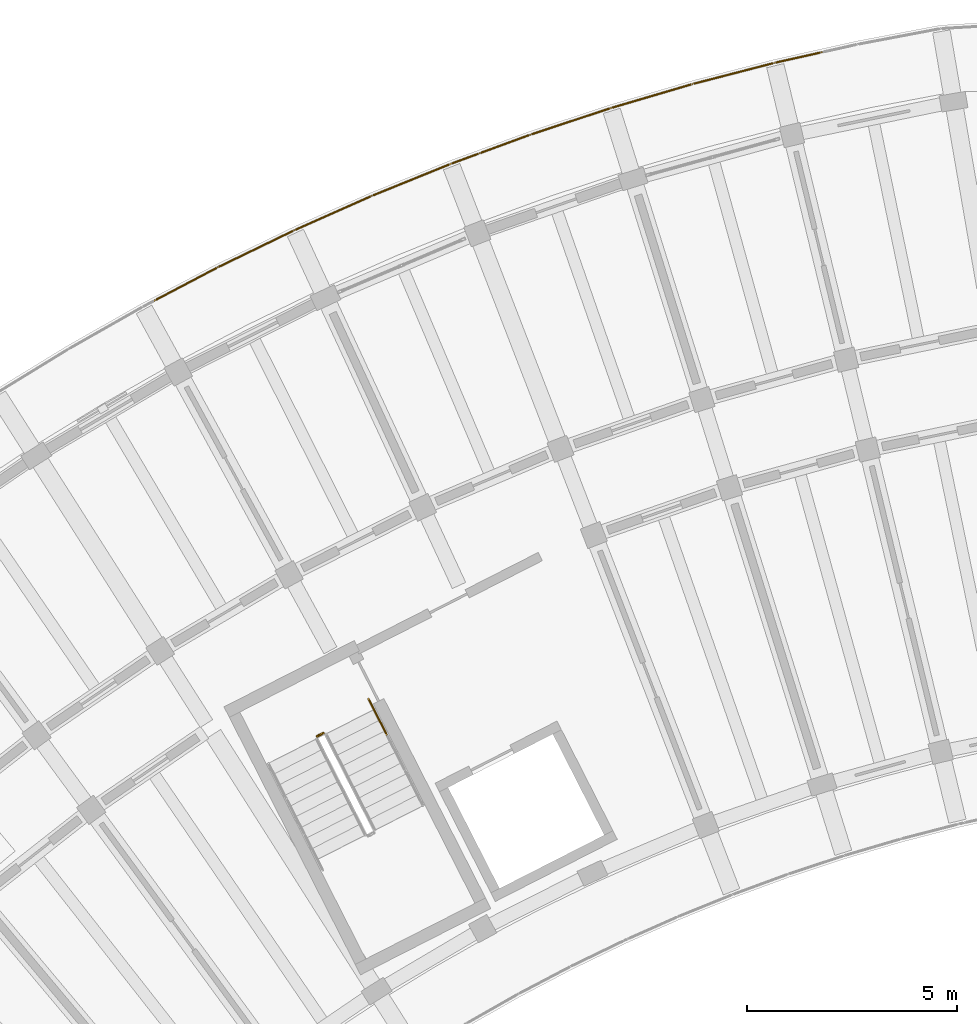
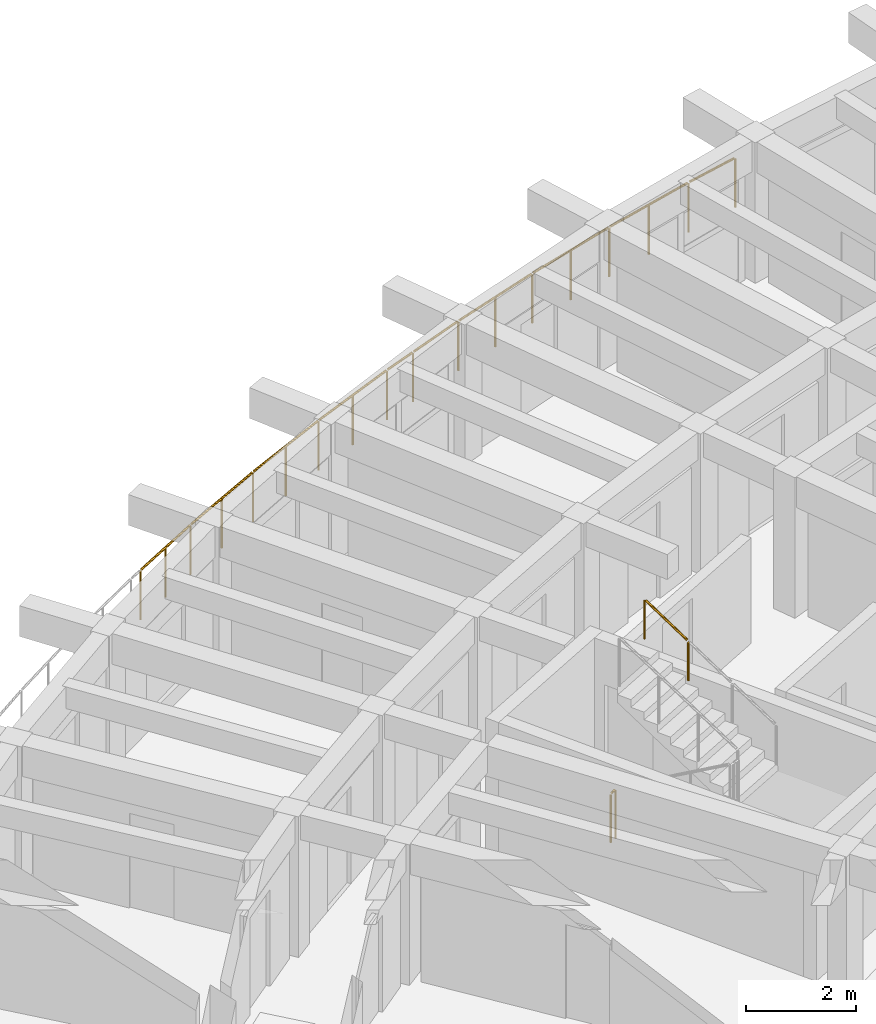
# One storey, part 56 of 62: 4 railings.
"""IFC4 building model written with IfcOpenShell, lengths in metres."""

from ifc_helpers import new_model, si_unit, direction, frame, origin, origin_2d, place, context, subcontext, project, spatial, circle, extrude, material, type_object, element, save


model = new_model("IFC4")

# Units and contexts
model_context = context("Model", 3, precision=1e-05, world=origin(), true_north=direction((0.0, 1.0)))
body_context = subcontext(model_context, "Body", "Model", "MODEL_VIEW")
ifc_project = project(units=[si_unit("LENGTHUNIT", "METRE"), si_unit("AREAUNIT", "SQUARE_METRE"), si_unit("VOLUMEUNIT", "CUBIC_METRE"), si_unit("PLANEANGLEUNIT", "RADIAN"), si_unit("MASSUNIT", "GRAM", prefix="KILO")], contexts=[model_context])

# Site, building, storey
site_placement = place(None, origin())
site = spatial("IfcSite", under=ifc_project, at=site_placement, CompositionType="ELEMENT")
building_placement = place(site_placement, origin())
building = spatial("IfcBuilding", under=site, at=building_placement, Name="Tanwirah Colonnade Gardens", CompositionType="ELEMENT")
storey_placement = place(building_placement, frame((0.0, 0.0, 32.360107421875)))
storey = spatial("IfcBuildingStorey", under=building, at=storey_placement, Name="L09", CompositionType="ELEMENT", Elevation=32.360107421875)

# Railings
ifc_material_1 = material(Name="Precast concrete C40/50", Category="concrete")
railing_type_1 = type_object("IfcRailingType", Name="BAL-EXT112", PredefinedType="BALUSTRADE", material=ifc_material_1)
railing_1_placement = place(storey_placement, frame((35.87109375, 114.154541015625, 0.0)))
element("IfcRailing", 1, at=railing_1_placement, inside=storey, type_object=railing_type_1, Name="Block A L09 Balcony Ribbon Balustrade 16", PredefinedType="BALUSTRADE", context=body_context, shape_type="SweptSolid", body=[
    extrude(circle(Radius=0.02392578125, at=origin_2d()), frame((0.027587890625, 0.0146484375, 1.09619140625), z_axis=(0.885211349846, 0.465189064901, 0.0), x_axis=(-0.465189064901, 0.885211349846, 0.0)), (0.0, 0.0, 1.0), 1.634765625),
    extrude(circle(Radius=0.02392578125, at=origin_2d()), frame((1.530517578125, 0.80322265625, 1.09619140625), z_axis=(0.900055350621, 0.435775591122, 0.0), x_axis=(-0.435775591122, 0.900055350621, 0.0)), (0.0, 0.0, 1.0), 1.958740234375),
    extrude(circle(Radius=0.02392578125, at=origin_2d()), frame((3.350341796875, 1.68310546875, 1.09619140625), z_axis=(0.913950953394, 0.405824660156, 0.0), x_axis=(-0.405824660156, 0.913950953394, 0.0)), (0.0, 0.0, 1.0), 1.958740234375),
    extrude(circle(Radius=0.02392578125, at=origin_2d()), frame((5.1982421875, 2.50244140625, 1.09619140625), z_axis=(0.926784720453, 0.375592973757, 0.0), x_axis=(-0.375592973757, 0.926784720453, 0.0)), (0.0, 0.0, 1.0), 1.958984375),
    extrude(circle(Radius=0.02392578125, at=origin_2d()), frame((7.072021484375, 3.2607421875, 1.09619140625), z_axis=(0.938805067253, 0.344448901436, 0.0), x_axis=(-0.344448901436, 0.938805067253, 0.0)), (0.0, 0.0, 1.0), 0.676025390625),
    extrude(circle(Radius=0.02099609375, at=origin_2d()), origin(), (0.0, 0.0, 1.0), 1.069091796875),
    extrude(circle(Radius=0.02099609375, at=origin_2d()), frame((0.751220703125, 0.394775390625, 0.0)), (0.0, 0.0, 1.0), 1.069091796875),
    extrude(circle(Radius=0.02099609375, at=origin_2d()), frame((1.50244140625, 0.78955078125, 0.0)), (0.0, 0.0, 1.0), 1.069091796875),
    extrude(circle(Radius=0.02099609375, at=origin_2d()), frame((2.412109375, 1.22998046875, 0.0)), (0.0, 0.0, 1.0), 1.069091796875),
    extrude(circle(Radius=0.02099609375, at=origin_2d()), frame((3.32177734375, 1.67041015625, 0.0)), (0.0, 0.0, 1.0), 1.069091796875),
    extrude(circle(Radius=0.02099609375, at=origin_2d()), frame((4.24560546875, 2.08056640625, 0.0)), (0.0, 0.0, 1.0), 1.069091796875),
    extrude(circle(Radius=0.02099609375, at=origin_2d()), frame((5.169189453125, 2.49072265625, 0.0)), (0.0, 0.0, 1.0), 1.069091796875),
    extrude(circle(Radius=0.02099609375, at=origin_2d()), frame((6.10595703125, 2.870361328125, 0.0)), (0.0, 0.0, 1.0), 1.069091796875),
    extrude(circle(Radius=0.02099609375, at=origin_2d()), frame((7.042724609375, 3.25, 0.0)), (0.0, 0.0, 1.0), 1.069091796875),
    extrude(circle(Radius=0.02099609375, at=origin_2d()), frame((7.736083984375, 3.50439453125, 0.0)), (0.0, 0.0, 1.0), 1.069091796875),
])
railing_2_placement = place(storey_placement, frame((43.607177734375, 117.658935546875, 0.0)))
element("IfcRailing", 2, at=railing_2_placement, inside=storey, type_object=railing_type_1, Name="Block A L09 Balcony Ribbon Balustrade 17", PredefinedType="BALUSTRADE", context=body_context, shape_type="SweptSolid", body=[
    extrude(circle(Radius=0.02392578125, at=origin_2d()), frame((0.029296875, 0.0107421875, 1.09619140625), z_axis=(0.938677300874, 0.344796932735, 0.0), x_axis=(-0.344796932735, 0.938677300874, 0.0)), (0.0, 0.0, 1.0), 1.220458984375),
    extrude(circle(Radius=0.02392578125, at=origin_2d()), frame((1.234130859375, 0.4521484375, 1.09619140625), z_axis=(0.949537316482, 0.313654084317, 0.0), x_axis=(-0.313654084317, 0.949537316482, 0.0)), (0.0, 0.0, 1.0), 1.958984375),
    extrude(circle(Radius=0.02392578125, at=origin_2d()), frame((3.15380859375, 1.085205078125, 1.09619140625), z_axis=(0.959371271211, 0.282146706477, 0.0), x_axis=(-0.282146706477, 0.959371271211, 0.0)), (0.0, 0.0, 1.0), 1.958740234375),
    extrude(circle(Radius=0.02392578125, at=origin_2d()), frame((5.09326171875, 1.654541015625, 1.09619140625), z_axis=(0.968157509899, 0.250341838346, 0.0), x_axis=(-0.250341838346, 0.968157509899, 0.0)), (0.0, 0.0, 1.0), 1.959228515625),
    extrude(circle(Radius=0.02392578125, at=origin_2d()), frame((7.05078125, 2.15966796875, 1.09619140625), z_axis=(0.975862009213, 0.218388046776, 0.0), x_axis=(-0.218388046776, 0.975862009213, 0.0)), (0.0, 0.0, 1.0), 1.090087890625),
    extrude(circle(Radius=0.02099609375, at=origin_2d()), origin(), (0.0, 0.0, 1.0), 1.069091796875),
    extrude(circle(Radius=0.02099609375, at=origin_2d()), frame((1.204345703125, 0.4423828125, 0.0)), (0.0, 0.0, 1.0), 1.069091796875),
    extrude(circle(Radius=0.02099609375, at=origin_2d()), frame((2.1640625, 0.75927734375, 0.0)), (0.0, 0.0, 1.0), 1.069091796875),
    extrude(circle(Radius=0.02099609375, at=origin_2d()), frame((3.123779296875, 1.076416015625, 0.0)), (0.0, 0.0, 1.0), 1.069091796875),
    extrude(circle(Radius=0.02099609375, at=origin_2d()), frame((4.09326171875, 1.361572265625, 0.0)), (0.0, 0.0, 1.0), 1.069091796875),
    extrude(circle(Radius=0.02099609375, at=origin_2d()), frame((5.06298828125, 1.646728515625, 0.0)), (0.0, 0.0, 1.0), 1.069091796875),
    extrude(circle(Radius=0.02099609375, at=origin_2d()), frame((6.04150390625, 1.89990234375, 0.0)), (0.0, 0.0, 1.0), 1.069091796875),
    extrude(circle(Radius=0.02099609375, at=origin_2d()), frame((7.020263671875, 2.15283203125, 0.0)), (0.0, 0.0, 1.0), 1.069091796875),
    extrude(circle(Radius=0.02099609375, at=origin_2d()), frame((8.14501953125, 2.404541015625, 0.0)), (0.0, 0.0, 1.0), 1.069091796875),
])
ifc_material_2 = material(Name="Powder-coated galvanized steel", Category="steel")
railing_type_2 = type_object("IfcRailingType", Name="GRD-ST110", PredefinedType="GUARDRAIL", material=ifc_material_2)
railing_3_placement = place(storey_placement, frame((39.74072265625, 103.78271484375, 0.0)))
element("IfcRailing", 3, at=railing_3_placement, inside=storey, type_object=railing_type_2, Name="L09 ST-A1 stair guard 4", PredefinedType="GUARDRAIL", context=body_context, shape_type="SweptSolid", body=[
    extrude(circle(Radius=0.02392578125, at=origin_2d()), frame((0.02783203125, 0.01416015625, 1.076171875), z_axis=(0.89073666619, 0.4545197372, 0.0), x_axis=(-0.4545197372, 0.89073666619, 0.0)), (0.0, 0.0, 1.0), 0.09765625),
    extrude(circle(Radius=0.02099609375, at=origin_2d()), origin(), (0.0, 0.0, 1.0), 1.049072265625),
    extrude(circle(Radius=0.02099609375, at=origin_2d()), frame((0.142578125, 0.07275390625, 0.0)), (0.0, 0.0, 1.0), 1.049072265625),
])
ifc_material_3 = material(Name="Brushed bronze stainless steel", Category="steel")
railing_type_3 = type_object("IfcRailingType", Name="HR-ST090", PredefinedType="HANDRAIL", material=ifc_material_3)
railing_4_placement = place(storey_placement, frame((41.392822265625, 103.822265625, 2.97998046875)))
element("IfcRailing", 4, at=railing_4_placement, inside=storey, type_object=railing_type_3, Name="L09 ST-A1 stair handrail 6", PredefinedType="HANDRAIL", context=body_context, shape_type="SweptSolid", body=[
    extrude(circle(Radius=0.02392578125, at=origin_2d()), frame((-0.01220703125, 0.02392578125, 0.891845703125), z_axis=(-0.38993033558, 0.765508761867, 0.511811165275), x_axis=(-0.891061070925, -0.453883429839, 0.0)), (0.0, 0.0, 1.0), 1.043212890625),
    extrude(circle(Radius=0.02099609375, at=origin_2d()), origin(), (0.0, 0.0, 1.0), 0.848876953125),
    extrude(circle(Radius=0.02099609375, at=origin_2d()), frame((-0.43115234375, 0.846435546875, 0.56591796875)), (0.0, 0.0, 1.0), 0.848876953125),
])

save(model, "model.ifc")
